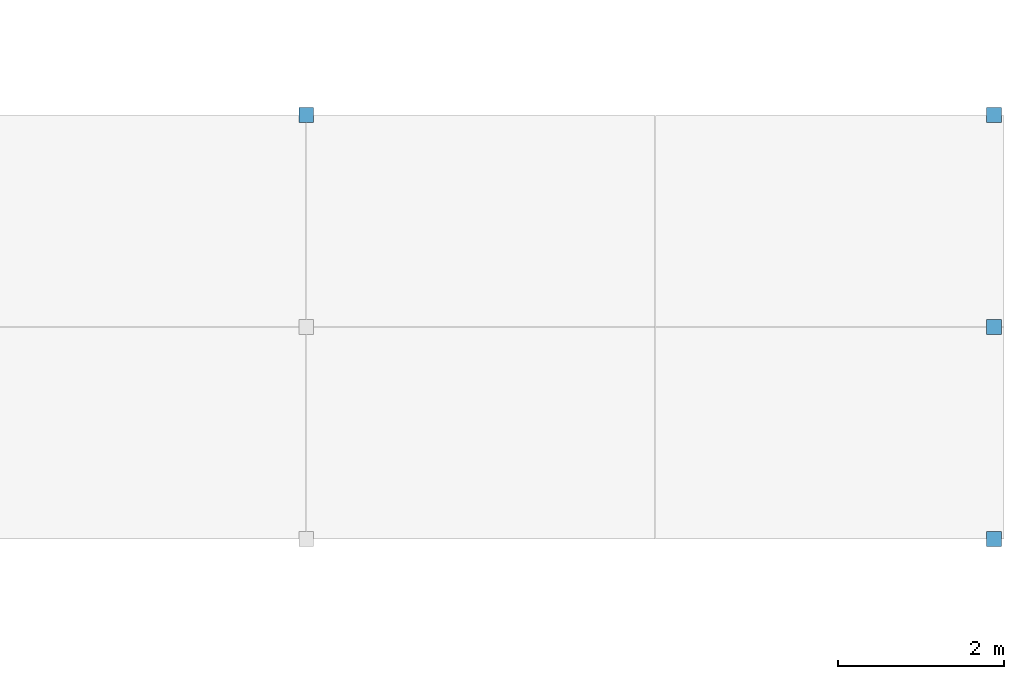
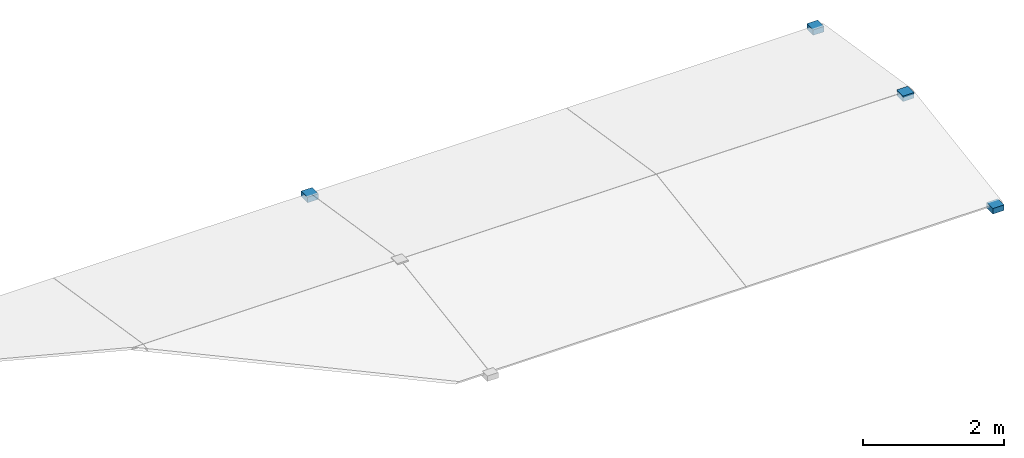
# One storey, part 25 of 39: 4 discrete accessories.
"""IFC4 building model written with IfcOpenShell, lengths in metres."""

import ifcopenshell
import ifcopenshell.guid

model = None  # the IFC model being written
_history = None  # IfcOwnerHistory: only IFC2X3 demands one
_inside = {}  # id of a spatial element -> (the spatial element, [elements in it])
_under = {}  # id of a project, library or spatial element -> (it, [spatial elements below it])
_declared = {}  # id of a project -> (the project, [libraries it declares])
_typed = {}  # id of a type object -> (the type object, [elements of that type])
_made_of = {}  # id of a material, layer set ... -> (it, [elements and type objects made of it])


def new_model(schema):
    """Start an empty IFC model of exactly this schema.

    Asked for "IFC4X3", IfcOpenShell would pick the latest addendum, in which some entities
    have other attributes; the version numbers below select the first issue.
    IFC2X3 requires an IfcOwnerHistory on every rooted entity: one is made here for all.
    """
    global model, _history
    if schema == "IFC4X3":
        model = ifcopenshell.file(schema_version=(4, 3, 0, 0))
    else:
        model = ifcopenshell.file(schema=schema)
    _inside.clear()
    _under.clear()
    _declared.clear()
    _typed.clear()
    _made_of.clear()
    _history = None
    if model.schema == "IFC2X3":
        org = make("IfcOrganization", Name="unknown")
        user = make(
            "IfcPersonAndOrganization",
            ThePerson=make("IfcPerson", FamilyName="unknown"),
            TheOrganization=org,
        )
        app = make(
            "IfcApplication",
            ApplicationDeveloper=org,
            Version="unknown",
            ApplicationFullName="unknown",
            ApplicationIdentifier="unknown",
        )
        _history = make(
            "IfcOwnerHistory",
            OwningUser=user,
            OwningApplication=app,
            ChangeAction="ADDED",
            CreationDate=0,
        )
    return model


def make(cls, **values):
    """One entity of the class cls with the attributes given. An attribute that is None is left unset."""
    return model.create_entity(
        cls, **{name: value for name, value in values.items() if value is not None}
    )


def rooted(cls, **values):
    """An entity with a GlobalId (a new one), such as an element, a storey or a relation."""
    return make(cls, GlobalId=ifcopenshell.guid.new(), OwnerHistory=_history, **values)


def si_unit(unit_type, name, prefix=None):
    """IfcSIUnit, for example si_unit("LENGTHUNIT", "METRE", prefix="MILLI")."""
    return make("IfcSIUnit", UnitType=unit_type, Prefix=prefix, Name=name)


def assignment(units):
    """IfcUnitAssignment: the units of a project."""
    return None if units is None else make("IfcUnitAssignment", Units=units)


def point(xyz):
    """IfcCartesianPoint."""
    return None if xyz is None else make("IfcCartesianPoint", Coordinates=xyz)


def direction(xyz):
    """IfcDirection."""
    return None if xyz is None else make("IfcDirection", DirectionRatios=xyz)


def frame(location, z_axis=None, x_axis=None):
    """IfcAxis2Placement3D, a coordinate frame: its origin and axes. An axis left out is left unset."""
    return make(
        "IfcAxis2Placement3D",
        Location=point(location),
        Axis=direction(z_axis),
        RefDirection=direction(x_axis),
    )


def frame_2d(location, x_axis=None):
    """IfcAxis2Placement2D, a coordinate frame in the plane: its origin and x axis."""
    return make(
        "IfcAxis2Placement2D", Location=point(location), RefDirection=direction(x_axis)
    )


def origin():
    """The frame at (0, 0, 0) with its axes left unset."""
    return frame((0.0, 0.0, 0.0))


def origin_2d():
    """The frame at (0, 0) in the plane with its x axis left unset."""
    return frame_2d((0.0, 0.0))


def place(relative_to, where):
    """IfcLocalPlacement: puts the frame where relative to a parent placement (None: the world)."""
    return make(
        "IfcLocalPlacement", PlacementRelTo=relative_to, RelativePlacement=where
    )


def context(
    kind, dimensions, precision=None, world=None, true_north=None, identifier=None
):
    """IfcGeometricRepresentationContext, for example the 3D "Model" context."""
    return make(
        "IfcGeometricRepresentationContext",
        ContextIdentifier=identifier,
        ContextType=kind,
        CoordinateSpaceDimension=dimensions,
        Precision=precision,
        WorldCoordinateSystem=world,
        TrueNorth=true_north,
    )


def subcontext(parent, identifier, kind, view, scale=None):
    """IfcGeometricRepresentationSubContext, for example "Body" below "Model"."""
    return make(
        "IfcGeometricRepresentationSubContext",
        ContextIdentifier=identifier,
        ContextType=kind,
        ParentContext=parent,
        TargetScale=scale,
        TargetView=view,
    )


def project(units=None, contexts=None):
    """IfcProject with its units and contexts."""
    return rooted(
        "IfcProject",
        Name="project",
        RepresentationContexts=contexts,
        UnitsInContext=assignment(units),
    )


def spatial(cls, under=None, at=None, **own):
    """A site, building, storey or space (cls), placed at a placement, below another one or the project."""
    s = rooted(cls, ObjectPlacement=at, **own)
    if under is not None:
        _under.setdefault(under.id(), (under, []))[1].append(s)
    return s


def profile(cls, at=None, kind="AREA", **sizes):
    """A parametric profile (cls). Its sizes go by their IFC names, for example OverallWidth=200.0."""
    return make(cls, ProfileType=kind, Position=at, **sizes)


def rectangle(**sizes):
    """IfcRectangleProfileDef."""
    return profile("IfcRectangleProfileDef", **sizes)


def extrude(swept, where, along, depth):
    """IfcExtrudedAreaSolid: the profile swept, set in the frame where, extruded along a direction by depth."""
    return make(
        "IfcExtrudedAreaSolid",
        SweptArea=swept,
        Position=where,
        ExtrudedDirection=direction(along),
        Depth=depth,
    )


def shape(context_of_items, identifier, shape_type, items):
    """IfcShapeRepresentation: the items that make up one representation, for example the "Body"."""
    return make(
        "IfcShapeRepresentation",
        ContextOfItems=context_of_items,
        RepresentationIdentifier=identifier,
        RepresentationType=shape_type,
        Items=items,
    )


def material(Name=None, Category=None):
    """IfcMaterial."""
    return make("IfcMaterial", Name=Name, Category=Category)


def made_of(thing, what):
    """Note that an element or type object is made of a material, layer set ...; save() writes the relation."""
    if what is not None:
        _made_of.setdefault(what.id(), (what, []))[1].append(thing)
    return thing


def type_object(cls, material=None, **own):
    """A type object (cls), such as IfcWallType, which elements share."""
    return made_of(rooted(cls, **own), material)


def element(
    cls,
    number,
    at=None,
    inside=None,
    cuts=None,
    type_object=None,
    material=None,
    context=None,
    identifier="Body",
    shape_type=None,
    held_by="IfcProductDefinitionShape",
    body=None,
    shapes=None,
    **own,
):
    """One element of the class cls, such as IfcWall. Its Tag is "e" and its number.

    at: its placement. inside: the storey or other place that contains it. cuts: it is an
    opening in that element (IfcRelVoidsElement). A single representation is given by context,
    identifier, shape_type and body (its items); several are given by shapes. held_by: the class
    of the entity that holds the representations. save() writes the other relations.
    """
    e = rooted(cls, Tag="e%d" % number, ObjectPlacement=at, **own)
    if body is not None:
        shapes = [shape(context, identifier, shape_type, body)]
    if shapes is not None:
        e.Representation = make(held_by, Representations=shapes)
    if inside is not None:
        _inside.setdefault(inside.id(), (inside, []))[1].append(e)
    if cuts is not None:
        rooted(
            "IfcRelVoidsElement", RelatingBuildingElement=cuts, RelatedOpeningElement=e
        )
    if type_object is not None:
        _typed.setdefault(type_object.id(), (type_object, []))[1].append(e)
    return made_of(e, material)


def aggregate(whole, parts):
    """IfcRelAggregates: a whole, such as a stair, and the parts it consists of."""
    return rooted("IfcRelAggregates", RelatingObject=whole, RelatedObjects=parts)


def save(model, path):
    """Write the relations noted so far, then the file.

    IfcRelAggregates (storeys below a building ...), IfcRelContainedInSpatialStructure (elements
    in a storey), IfcRelDefinesByType, IfcRelAssociatesMaterial and IfcRelDeclares: one each for
    every whole, place, type object, material and project.
    """
    for whole, parts in _under.values():
        aggregate(whole, parts)
    for where, things in _inside.values():
        rooted(
            "IfcRelContainedInSpatialStructure",
            RelatedElements=things,
            RelatingStructure=where,
        )
    for kind, things in _typed.values():
        rooted("IfcRelDefinesByType", RelatedObjects=things, RelatingType=kind)
    for what, things in _made_of.values():
        rooted("IfcRelAssociatesMaterial", RelatedObjects=things, RelatingMaterial=what)
    for by, libraries in _declared.values():
        rooted("IfcRelDeclares", RelatingContext=by, RelatedDefinitions=libraries)
    model.write(path)


model = new_model("IFC4")

# Units and contexts
model_context = context("Model", 3, precision=1e-05, world=origin(), true_north=direction((0.0, 1.0)))
body_context = subcontext(model_context, "Body", "Model", "MODEL_VIEW")
ifc_project = project(units=[si_unit("LENGTHUNIT", "METRE"), si_unit("AREAUNIT", "SQUARE_METRE"), si_unit("VOLUMEUNIT", "CUBIC_METRE"), si_unit("PLANEANGLEUNIT", "RADIAN"), si_unit("MASSUNIT", "GRAM", prefix="KILO")], contexts=[model_context])

# Site, building, storey
site_placement = place(None, origin())
site = spatial("IfcSite", under=ifc_project, at=site_placement, CompositionType="ELEMENT")
building_placement = place(site_placement, origin())
building = spatial("IfcBuilding", under=site, at=building_placement, Name="Telukmera Botanical Conservatory", CompositionType="ELEMENT")
storey_placement = place(building_placement, frame((0.0, 0.0, 19.5)))
storey = spatial("IfcBuildingStorey", under=building, at=storey_placement, Name="L04", CompositionType="ELEMENT", Elevation=19.5)

# Discrete accessories
ifc_material = material(Name="Steel S355", Category="steel")
discrete_accessory_type = type_object("IfcDiscreteAccessoryType", Name="Structural Steel Gridshell Glazing Shoe Bracket", PredefinedType="BRACKET", material=ifc_material)
for number, where, z_axis, x_axis, name in (
    (1, (159.60009765625, 35.449951171875, 0.06494140625), (0.0, 0.0, 1.0), (1.0, 0.0, 0.0), "Conservatory Node Glazing Spider Bracket 10-07"),
    (2, (167.8798828125, 30.35009765625, 0.06494140625), (0.0, 0.0, 1.0), (1.0, 0.0, 0.0), "Conservatory Node Glazing Spider Bracket 12-05"),
    (3, (167.8798828125, 32.89990234375, 0.46484375), (0.0, 0.0, 1.0), (1.0, 0.0, 0.0), "Conservatory Node Glazing Spider Bracket 12-06"),
    (4, (167.8798828125, 35.449951171875, 0.06494140625), (0.0, 0.0, 1.0), (1.0, 0.0, 0.0), "Conservatory Node Glazing Spider Bracket 12-07"),
):
    element("IfcDiscreteAccessory", number, at=place(storey_placement, frame(where, z_axis=z_axis, x_axis=x_axis)), inside=storey, type_object=discrete_accessory_type, Name=name, PredefinedType="BRACKET", context=body_context, shape_type="SweptSolid", body=[
        extrude(rectangle(XDim=0.179931640625, YDim=0.179931640625, at=origin_2d()), origin(), (0.0, 0.0, 1.0), 0.094970703125),
    ])

save(model, "model.ifc")
